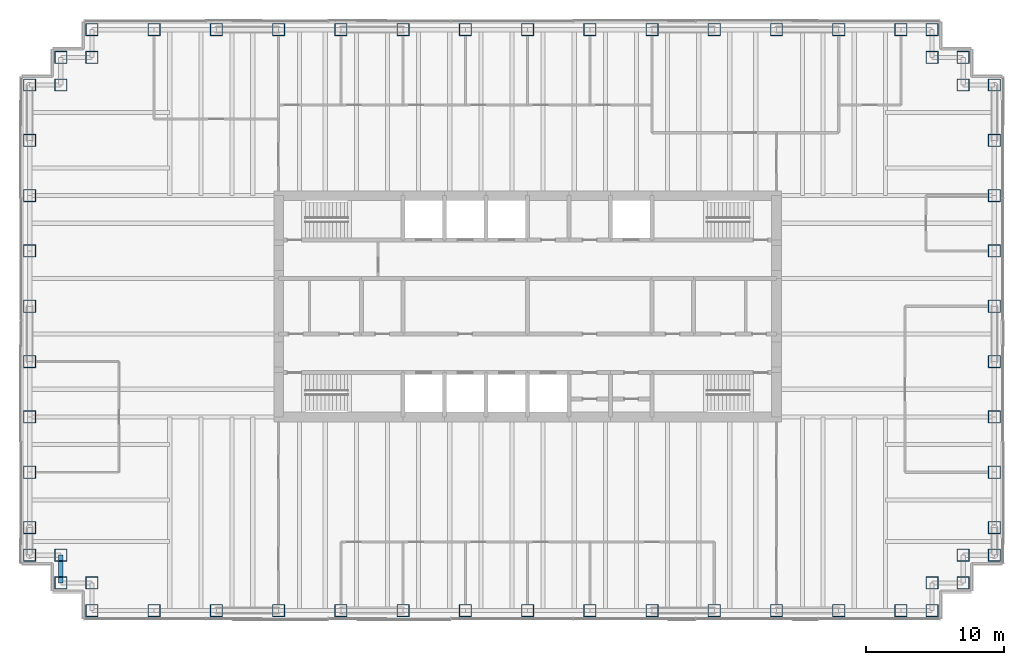
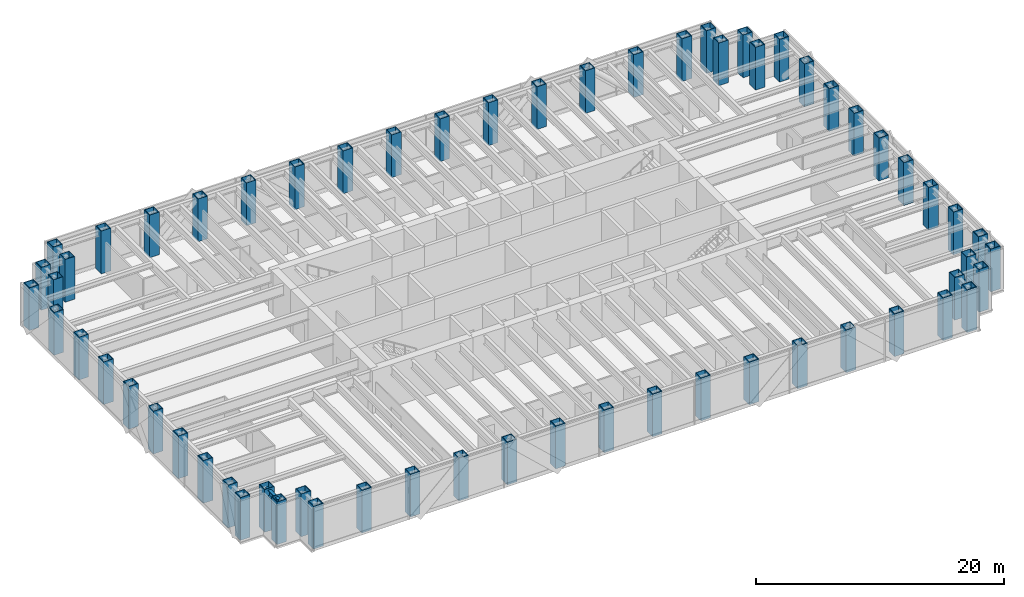
# One storey, part 1 of 15: 62 columns, 1 beam.
"""IFC4 building model written with IfcOpenShell, lengths in metres."""

from ifc_helpers import new_model, si_unit, direction, frame, origin, origin_2d, place, context, subcontext, project, spatial, hollow_rectangle, i_section, extrude, material, material_profile, profile_set, type_object, element, save


model = new_model("IFC4")

# Units and contexts
model_context = context("Model", 3, precision=1e-05, world=origin(), true_north=direction((0.0, 1.0)))
body_context = subcontext(model_context, "Body", "Model", "MODEL_VIEW")
ifc_project = project(units=[si_unit("LENGTHUNIT", "METRE"), si_unit("AREAUNIT", "SQUARE_METRE"), si_unit("VOLUMEUNIT", "CUBIC_METRE"), si_unit("PLANEANGLEUNIT", "RADIAN"), si_unit("MASSUNIT", "GRAM", prefix="KILO")], contexts=[model_context])

# Site, building, storey
site_placement = place(None, origin())
site = spatial("IfcSite", under=ifc_project, at=site_placement, CompositionType="ELEMENT")
building_placement = place(site_placement, origin())
building = spatial("IfcBuilding", under=site, at=building_placement, Name="Rheinbord Bourse Tower", CompositionType="ELEMENT")
storey_placement = place(building_placement, frame((0.0, 0.0, 313.10009765625)))
storey = spatial("IfcBuildingStorey", under=building, at=storey_placement, Name="L71", CompositionType="ELEMENT", Elevation=313.10009765625)

# Columns
ifc_material_1 = material(Name="Steel S460M", Category="steel")
ifc_material_profile_1 = material_profile(ifc_material_1, hollow_rectangle(XDim=0.89990234375, YDim=0.89990234375, WallThickness=0.050048828125, at=origin_2d()), Name="BOX 900x900x50")
ifc_profile_set_1 = profile_set([ifc_material_profile_1], Name="Steel S460M")
column_type = type_object("IfcColumnType", Name="TUBE COLUMN BOX 900x900x50", PredefinedType="COLUMN", material=ifc_profile_set_1)
for number, where, z_axis, x_axis, name in (
    (1, (4.5, 2.0, 0.0), (0.0, 0.0, 1.0), (0.0, 1.0, 0.0), "Column SW-E L71"),
    (2, (9.0, 2.0, 0.0), (0.0, 0.0, 1.0), (0.0, 1.0, 0.0), "Column S-9 L71"),
    (3, (13.5, 2.0, 0.0), (0.0, 0.0, 1.0), (0.0, 1.0, 0.0), "Column S-13.5 L71"),
    (4, (18.0, 2.0, 0.0), (0.0, 0.0, 1.0), (0.0, 1.0, 0.0), "Column S-18 L71"),
    (5, (22.5, 2.0, 0.0), (0.0, 0.0, 1.0), (0.0, 1.0, 0.0), "Column S-22.5 L71"),
    (6, (27.0, 2.0, 0.0), (0.0, 0.0, 1.0), (0.0, 1.0, 0.0), "Column S-27 L71"),
    (7, (31.5, 2.0, 0.0), (0.0, 0.0, 1.0), (0.0, 1.0, 0.0), "Column S-31.5 L71"),
    (8, (36.0, 2.0, 0.0), (0.0, 0.0, 1.0), (0.0, 1.0, 0.0), "Column S-36 L71"),
    (9, (40.5, 2.0, 0.0), (0.0, 0.0, 1.0), (0.0, 1.0, 0.0), "Column S-40.5 L71"),
    (10, (45.0, 2.0, 0.0), (0.0, 0.0, 1.0), (0.0, 1.0, 0.0), "Column S-45 L71"),
    (11, (49.5, 2.0, 0.0), (0.0, 0.0, 1.0), (0.0, 1.0, 0.0), "Column S-49.5 L71"),
    (12, (54.0, 2.0, 0.0), (0.0, 0.0, 1.0), (0.0, 1.0, 0.0), "Column S-54 L71"),
    (13, (58.5, 2.0, 0.0), (0.0, 0.0, 1.0), (0.0, 1.0, 0.0), "Column S-58.5 L71"),
    (14, (63.0, 2.0, 0.0), (0.0, 0.0, 1.0), (0.0, 1.0, 0.0), "Column S-63 L71"),
    (15, (65.25, 2.0, 0.0), (0.0, 0.0, 1.0), (0.0, 1.0, 0.0), "Column SE-E L71"),
    (16, (65.25, 4.0, 0.0), (0.0, 0.0, 1.0), (0.0, 1.0, 0.0), "Column SE-D L71"),
    (17, (67.5, 4.0, 0.0), (0.0, 0.0, 1.0), (1.0, 0.0, 0.0), "Column SE-C L71"),
    (18, (67.5, 6.0, 0.0), (0.0, 0.0, 1.0), (1.0, 0.0, 0.0), "Column SE-B L71"),
    (19, (69.75, 6.0, 0.0), (0.0, 0.0, 1.0), (1.0, 0.0, 0.0), "Column SE-A L71"),
    (20, (69.75, 8.0, 0.0), (0.0, 0.0, 1.0), (1.0, 0.0, 0.0), "Column E-8 L71"),
    (21, (69.75, 12.0, 0.0), (0.0, 0.0, 1.0), (1.0, 0.0, 0.0), "Column E-12 L71"),
    (22, (69.75, 16.0, 0.0), (0.0, 0.0, 1.0), (1.0, 0.0, 0.0), "Column E-16 L71"),
    (23, (69.75, 20.0, 0.0), (0.0, 0.0, 1.0), (1.0, 0.0, 0.0), "Column E-20 L71"),
    (24, (69.75, 24.0, 0.0), (0.0, 0.0, 1.0), (1.0, 0.0, 0.0), "Column E-24 L71"),
    (25, (69.75, 28.0, 0.0), (0.0, 0.0, 1.0), (1.0, 0.0, 0.0), "Column E-28 L71"),
    (26, (69.75, 32.0, 0.0), (0.0, 0.0, 1.0), (1.0, 0.0, 0.0), "Column E-32 L71"),
    (27, (69.75, 36.0, 0.0), (0.0, 0.0, 1.0), (1.0, 0.0, 0.0), "Column E-36 L71"),
    (28, (69.75, 40.0, 0.0), (0.0, 0.0, 1.0), (1.0, 0.0, 0.0), "Column NE-A L71"),
    (29, (67.5, 40.0, 0.0), (0.0, 0.0, 1.0), (1.0, 0.0, 0.0), "Column NE-B L71"),
    (30, (67.5, 42.0, 0.0), (0.0, 0.0, 1.0), (1.0, 0.0, 0.0), "Column NE-C L71"),
    (31, (65.25, 42.0, 0.0), (0.0, 0.0, 1.0), (0.0, 1.0, 0.0), "Column NE-D L71"),
    (32, (65.25, 44.0, 0.0), (0.0, 0.0, 1.0), (0.0, 1.0, 0.0), "Column NE-E L71"),
    (33, (63.0, 44.0, 0.0), (0.0, 0.0, 1.0), (0.0, 1.0, 0.0), "Column N-63 L71"),
    (34, (58.5, 44.0, 0.0), (0.0, 0.0, 1.0), (0.0, 1.0, 0.0), "Column N-58.5 L71"),
    (35, (54.0, 44.0, 0.0), (0.0, 0.0, 1.0), (0.0, 1.0, 0.0), "Column N-54 L71"),
    (36, (49.5, 44.0, 0.0), (0.0, 0.0, 1.0), (0.0, 1.0, 0.0), "Column N-49.5 L71"),
    (37, (45.0, 44.0, 0.0), (0.0, 0.0, 1.0), (0.0, 1.0, 0.0), "Column N-45 L71"),
    (38, (40.5, 44.0, 0.0), (0.0, 0.0, 1.0), (0.0, 1.0, 0.0), "Column N-40.5 L71"),
    (39, (36.0, 44.0, 0.0), (0.0, 0.0, 1.0), (0.0, 1.0, 0.0), "Column N-36 L71"),
    (40, (31.5, 44.0, 0.0), (0.0, 0.0, 1.0), (0.0, 1.0, 0.0), "Column N-31.5 L71"),
    (41, (27.0, 44.0, 0.0), (0.0, 0.0, 1.0), (0.0, 1.0, 0.0), "Column N-27 L71"),
    (42, (22.5, 44.0, 0.0), (0.0, 0.0, 1.0), (0.0, 1.0, 0.0), "Column N-22.5 L71"),
    (43, (18.0, 44.0, 0.0), (0.0, 0.0, 1.0), (0.0, 1.0, 0.0), "Column N-18 L71"),
    (44, (13.5, 44.0, 0.0), (0.0, 0.0, 1.0), (0.0, 1.0, 0.0), "Column N-13.5 L71"),
    (45, (9.0, 44.0, 0.0), (0.0, 0.0, 1.0), (0.0, 1.0, 0.0), "Column N-9 L71"),
    (46, (4.5, 44.0, 0.0), (0.0, 0.0, 1.0), (0.0, 1.0, 0.0), "Column NW-E L71"),
    (47, (4.5, 42.0, 0.0), (0.0, 0.0, 1.0), (0.0, 1.0, 0.0), "Column NW-D L71"),
    (48, (2.25, 42.0, 0.0), (0.0, 0.0, 1.0), (1.0, 0.0, 0.0), "Column NW-C L71"),
    (49, (2.25, 40.0, 0.0), (0.0, 0.0, 1.0), (1.0, 0.0, 0.0), "Column NW-B L71"),
    (50, (0.0, 40.0, 0.0), (0.0, 0.0, 1.0), (1.0, 0.0, 0.0), "Column NW-A L71"),
    (51, (0.0, 36.0, 0.0), (0.0, 0.0, 1.0), (1.0, 0.0, 0.0), "Column W-36 L71"),
    (52, (0.0, 32.0, 0.0), (0.0, 0.0, 1.0), (1.0, 0.0, 0.0), "Column W-32 L71"),
    (53, (0.0, 28.0, 0.0), (0.0, 0.0, 1.0), (1.0, 0.0, 0.0), "Column W-28 L71"),
    (54, (0.0, 24.0, 0.0), (0.0, 0.0, 1.0), (1.0, 0.0, 0.0), "Column W-24 L71"),
    (55, (0.0, 20.0, 0.0), (0.0, 0.0, 1.0), (1.0, 0.0, 0.0), "Column W-20 L71"),
    (56, (0.0, 16.0, 0.0), (0.0, 0.0, 1.0), (1.0, 0.0, 0.0), "Column W-16 L71"),
    (57, (0.0, 12.0, 0.0), (0.0, 0.0, 1.0), (1.0, 0.0, 0.0), "Column W-12 L71"),
    (58, (0.0, 8.0, 0.0), (0.0, 0.0, 1.0), (1.0, 0.0, 0.0), "Column W-8 L71"),
    (59, (0.0, 6.0, 0.0), (0.0, 0.0, 1.0), (1.0, 0.0, 0.0), "Column SW-A L71"),
    (60, (2.25, 6.0, 0.0), (0.0, 0.0, 1.0), (1.0, 0.0, 0.0), "Column SW-B L71"),
    (61, (2.25, 4.0, 0.0), (0.0, 0.0, 1.0), (1.0, 0.0, 0.0), "Column SW-C L71"),
    (62, (4.5, 4.0, 0.0), (0.0, 0.0, 1.0), (0.0, 1.0, 0.0), "Column SW-D L71"),
):
    element("IfcColumn", number, at=place(storey_placement, frame(where, z_axis=z_axis, x_axis=x_axis)), inside=storey, type_object=column_type, Name=name, PredefinedType="COLUMN", context=body_context, shape_type="SweptSolid", body=[
        extrude(hollow_rectangle(XDim=0.89990234375, YDim=0.89990234375, WallThickness=0.050048828125, at=origin_2d()), origin(), (0.0, 0.0, 1.0), 4.199951171875),
    ])

# Beam
ifc_material_2 = material(Name="Steel S460", Category="steel")
ifc_material_profile_2 = material_profile(ifc_material_2, i_section(OverallWidth=0.300048828125, OverallDepth=0.550048828125, WebThickness=0.014892578125, FlangeThickness=0.029052734375, at=origin_2d()), Name="HEB 550")
ifc_profile_set_2 = profile_set([ifc_material_profile_2], Name="Steel S460")
beam_type = type_object("IfcBeamType", Name="SPANDREL HEB 550", PredefinedType="SPANDREL", material=ifc_profile_set_2)
beam_placement = place(storey_placement, frame((2.25, 6.0, 3.764892578125), z_axis=(0.0, -1.0, 0.0), x_axis=(1.0, 0.0, 0.0)))
element("IfcBeam", 63, at=beam_placement, inside=storey, type_object=beam_type, Name="Spandrel SW-B-SW-C under L72", PredefinedType="SPANDREL", context=body_context, shape_type="SweptSolid", body=[
    extrude(i_section(OverallWidth=0.300048828125, OverallDepth=0.550048828125, WebThickness=0.014892578125, FlangeThickness=0.029052734375, at=origin_2d()), origin(), (0.0, 0.0, 1.0), 2.0),
])

save(model, "model.ifc")
